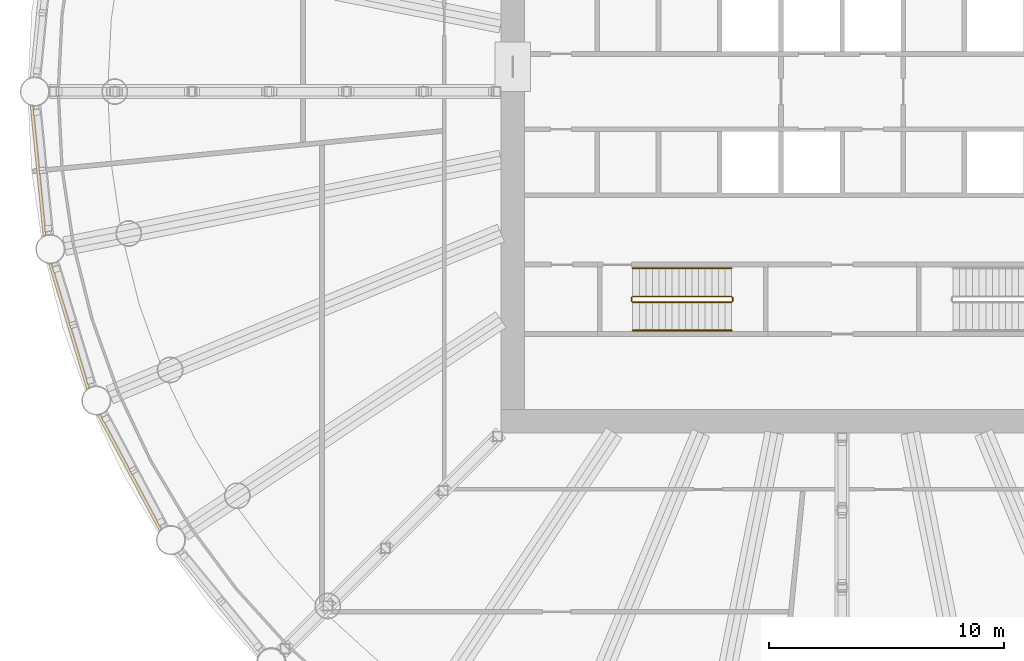
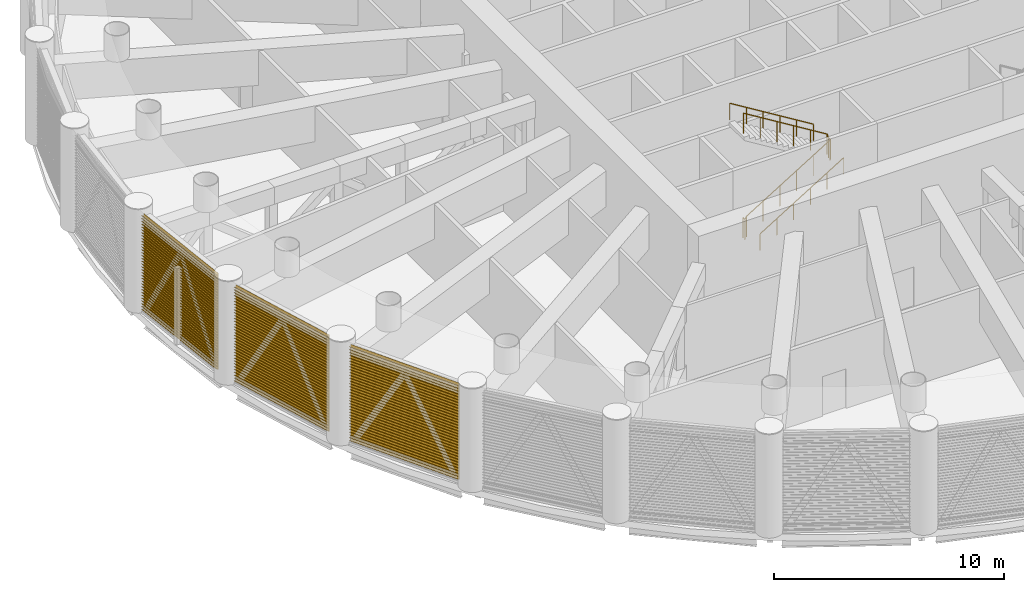
# One storey, part 23 of 29: 3 railings, 3 shading devices, 3 elements without a shape of their own.
"""IFC4 building model written with IfcOpenShell, lengths in metres."""

from ifc_helpers import new_model, si_unit, direction, frame, origin, origin_2d, place, context, subcontext, project, spatial, polyline, circle, outline, extrude, material, material_profile, profile_set, type_object, element, aggregate, save


model = new_model("IFC4")

# Units and contexts
model_context = context("Model", 3, precision=1e-05, world=origin(), true_north=direction((0.0, 1.0)))
body_context = subcontext(model_context, "Body", "Model", "MODEL_VIEW")
ifc_project = project(units=[si_unit("LENGTHUNIT", "METRE"), si_unit("AREAUNIT", "SQUARE_METRE"), si_unit("VOLUMEUNIT", "CUBIC_METRE"), si_unit("PLANEANGLEUNIT", "RADIAN"), si_unit("MASSUNIT", "GRAM", prefix="KILO")], contexts=[model_context])

# Site, building, storey
site_placement = place(None, origin())
site = spatial("IfcSite", under=ifc_project, at=site_placement, CompositionType="ELEMENT")
building_placement = place(site_placement, origin())
building = spatial("IfcBuilding", under=site, at=building_placement, Name="Corvane Civic Tower", CompositionType="ELEMENT")
storey_placement = place(building_placement, frame((0.0, 0.0, 138.5)))
storey = spatial("IfcBuildingStorey", under=building, at=storey_placement, Name="L32", CompositionType="ELEMENT", Elevation=138.5)

# Railings
ifc_material_1 = material(Name="Steel ASTM A572 Gr 50", Category="steel")
railing_type_1 = type_object("IfcRailingType", Name="ST-GUARD-1100", PredefinedType="GUARDRAIL", material=ifc_material_1)
railing_1_placement = place(storey_placement, frame((-8.949951171875, -8.75, 0.0)))
element("IfcRailing", 1, at=railing_1_placement, inside=storey, type_object=railing_type_1, Name="L32 ST3 stair guard 1", PredefinedType="GUARDRAIL", context=body_context, shape_type="SweptSolid", body=[
    extrude(circle(Radius=0.02392578125, at=origin_2d()), frame((0.0, 0.0, 1.076171875), z_axis=(0.0, -1.0, 0.0), x_axis=(1.0, 0.0, 0.0)), (0.0, 0.0, 1.0), 0.14990234375),
    extrude(circle(Radius=0.02392578125, at=origin_2d()), frame((0.0, -0.14990234375, 1.076171875), z_axis=(0.269255725606, -0.269255725606, 0.92466356501), x_axis=(0.707106781187, 0.707106781187, 0.0)), (0.0, 0.0, 1.0), 0.185791015625),
    extrude(circle(Radius=0.02392578125, at=origin_2d()), frame((0.050048828125, -0.199951171875, 1.248046875), z_axis=(0.852242915053, 0.0, 0.523146264196), x_axis=(0.0, 1.0, 0.0)), (0.0, 0.0, 1.0), 4.92822265625),
    extrude(circle(Radius=0.02392578125, at=origin_2d()), frame((4.25, -0.199951171875, 3.826171875), z_axis=(0.707106781187, 0.707106781187, 0.0), x_axis=(-0.707106781187, 0.707106781187, 0.0)), (0.0, 0.0, 1.0), 0.07080078125),
    extrude(circle(Radius=0.02392578125, at=origin_2d()), frame((4.300048828125, -0.14990234375, 3.826171875), z_axis=(0.0, 1.0, 0.0), x_axis=(-1.0, 0.0, 0.0)), (0.0, 0.0, 1.0), 0.14990234375),
    extrude(circle(Radius=0.02392578125, at=origin_2d()), frame((4.300048828125, 0.0, 3.826171875), z_axis=(-0.269255725606, 0.269255725606, 0.92466356501), x_axis=(-0.707106781187, -0.707106781187, 0.0)), (0.0, 0.0, 1.0), 0.185791015625),
    extrude(circle(Radius=0.02392578125, at=origin_2d()), frame((4.25, 0.050048828125, 3.998046875), z_axis=(-0.852242915053, 0.0, 0.523146264196), x_axis=(0.0, -1.0, 0.0)), (0.0, 0.0, 1.0), 4.92822265625),
    extrude(circle(Radius=0.02099609375, at=origin_2d()), origin(), (0.0, 0.0, 1.0), 1.052001953125),
    extrude(circle(Radius=0.02099609375, at=origin_2d()), frame((0.0, -0.14990234375, 0.0)), (0.0, 0.0, 1.0), 1.052001953125),
    extrude(circle(Radius=0.02099609375, at=origin_2d()), frame((0.050048828125, -0.199951171875, 0.171875)), (0.0, 0.0, 1.0), 1.052001953125),
    extrude(circle(Radius=0.02099609375, at=origin_2d()), frame((0.89013671875, -0.199951171875, 0.6875)), (0.0, 0.0, 1.0), 1.052001953125),
    extrude(circle(Radius=0.02099609375, at=origin_2d()), frame((1.72998046875, -0.199951171875, 1.203125)), (0.0, 0.0, 1.0), 1.052001953125),
    extrude(circle(Radius=0.02099609375, at=origin_2d()), frame((2.570068359375, -0.199951171875, 1.71875)), (0.0, 0.0, 1.0), 1.052001953125),
    extrude(circle(Radius=0.02099609375, at=origin_2d()), frame((3.409912109375, -0.199951171875, 2.234375)), (0.0, 0.0, 1.0), 1.052001953125),
    extrude(circle(Radius=0.02099609375, at=origin_2d()), frame((4.25, -0.199951171875, 2.75)), (0.0, 0.0, 1.0), 1.052001953125),
    extrude(circle(Radius=0.02099609375, at=origin_2d()), frame((4.300048828125, -0.14990234375, 2.75)), (0.0, 0.0, 1.0), 1.052001953125),
    extrude(circle(Radius=0.02099609375, at=origin_2d()), frame((4.300048828125, 0.0, 2.75)), (0.0, 0.0, 1.0), 1.052001953125),
    extrude(circle(Radius=0.02099609375, at=origin_2d()), frame((4.25, 0.050048828125, 2.921875)), (0.0, 0.0, 1.0), 1.052001953125),
    extrude(circle(Radius=0.02099609375, at=origin_2d()), frame((3.409912109375, 0.050048828125, 3.4375)), (0.0, 0.0, 1.0), 1.052001953125),
    extrude(circle(Radius=0.02099609375, at=origin_2d()), frame((2.570068359375, 0.050048828125, 3.953125)), (0.0, 0.0, 1.0), 1.052001953125),
    extrude(circle(Radius=0.02099609375, at=origin_2d()), frame((1.72998046875, 0.050048828125, 4.46875)), (0.0, 0.0, 1.0), 1.052001953125),
    extrude(circle(Radius=0.02099609375, at=origin_2d()), frame((0.89013671875, 0.050048828125, 4.984375)), (0.0, 0.0, 1.0), 1.052001953125),
    extrude(circle(Radius=0.02099609375, at=origin_2d()), frame((0.050048828125, 0.050048828125, 5.5)), (0.0, 0.0, 1.0), 1.052001953125),
])
ifc_material_2 = material(Name="Steel ASTM A572 Gr 50", Category="steel")
railing_type_2 = type_object("IfcRailingType", Name="ST-HANDRAIL-900", PredefinedType="HANDRAIL", material=ifc_material_2)
railing_2_placement = place(storey_placement, frame((-8.89990234375, -10.14990234375, 0.171875)))
element("IfcRailing", 2, at=railing_2_placement, inside=storey, type_object=railing_type_2, Name="L32 ST3 stair handrail 1", PredefinedType="HANDRAIL", context=body_context, shape_type="SweptSolid", body=[
    extrude(circle(Radius=0.02392578125, at=origin_2d()), frame((0.0, 0.0, 0.8759765625), z_axis=(0.852242915053, 0.0, 0.523146264196), x_axis=(0.0, 1.0, 0.0)), (0.0, 0.0, 1.0), 4.92822265625),
    extrude(circle(Radius=0.02099609375, at=origin_2d()), origin(), (0.0, 0.0, 1.0), 0.851806640625),
    extrude(circle(Radius=0.02099609375, at=origin_2d()), frame((0.840087890625, 0.0, 0.515625)), (0.0, 0.0, 1.0), 0.851806640625),
    extrude(circle(Radius=0.02099609375, at=origin_2d()), frame((1.679931640625, 0.0, 1.03125)), (0.0, 0.0, 1.0), 0.851806640625),
    extrude(circle(Radius=0.02099609375, at=origin_2d()), frame((2.52001953125, 0.0, 1.546875)), (0.0, 0.0, 1.0), 0.851806640625),
    extrude(circle(Radius=0.02099609375, at=origin_2d()), frame((3.35986328125, 0.0, 2.0625)), (0.0, 0.0, 1.0), 0.851806640625),
    extrude(circle(Radius=0.02099609375, at=origin_2d()), frame((4.199951171875, 0.0, 2.578125)), (0.0, 0.0, 1.0), 0.851806640625),
])
railing_3_placement = place(storey_placement, frame((-4.699951171875, -7.5, 2.921875)))
element("IfcRailing", 3, at=railing_3_placement, inside=storey, type_object=railing_type_2, Name="L32 ST3 stair handrail 2", PredefinedType="HANDRAIL", context=body_context, shape_type="SweptSolid", body=[
    extrude(circle(Radius=0.02392578125, at=origin_2d()), frame((0.0, 0.0, 0.8759765625), z_axis=(-0.852242915053, 0.0, 0.523146264196), x_axis=(0.0, -1.0, 0.0)), (0.0, 0.0, 1.0), 4.92822265625),
    extrude(circle(Radius=0.02099609375, at=origin_2d()), origin(), (0.0, 0.0, 1.0), 0.851806640625),
    extrude(circle(Radius=0.02099609375, at=origin_2d()), frame((-0.840087890625, 0.0, 0.515625)), (0.0, 0.0, 1.0), 0.851806640625),
    extrude(circle(Radius=0.02099609375, at=origin_2d()), frame((-1.679931640625, 0.0, 1.03125)), (0.0, 0.0, 1.0), 0.851806640625),
    extrude(circle(Radius=0.02099609375, at=origin_2d()), frame((-2.52001953125, 0.0, 1.546875)), (0.0, 0.0, 1.0), 0.851806640625),
    extrude(circle(Radius=0.02099609375, at=origin_2d()), frame((-3.35986328125, 0.0, 2.0625)), (0.0, 0.0, 1.0), 0.851806640625),
    extrude(circle(Radius=0.02099609375, at=origin_2d()), frame((-4.199951171875, 0.0, 2.578125)), (0.0, 0.0, 1.0), 0.851806640625),
])

# Curtain wall, shading device
ifc_material_3 = material(Name="Anodised aluminium bronze", Category="aluminium")
curtain_wall_type = type_object("IfcCurtainWallType", Name="TOWER CW-LV LOUVRE SCREEN WALL", PredefinedType="NOTDEFINED", material=ifc_material_3)
curtain_wall_1_placement = place(storey_placement, origin())
curtain_wall_1 = element("IfcCurtainWall", 4, at=curtain_wall_1_placement, inside=storey, type_object=curtain_wall_type, Name="Louvre screen wall CW-LV L32 bay 22", PredefinedType="NOTDEFINED")
ifc_material_4 = material(Name="Anodised aluminium bronze", Category="aluminium")
ifc_material_profile = material_profile(ifc_material_4, outline(polyline([(-0.06005859375, -2.56494140625), (-0.0400390625, -2.56494140625), (0.06005859375, -2.492919921875), (0.06005859375, -2.472900390625), (-0.0400390625, -2.544921875), (-0.0400390625, -2.4140625), (0.06005859375, -2.342041015625), (0.06005859375, -2.322021484375), (-0.0400390625, -2.39404296875), (-0.0400390625, -2.26318359375), (0.06005859375, -2.191162109375), (0.06005859375, -2.171142578125), (-0.0400390625, -2.2431640625), (-0.0400390625, -2.1123046875), (0.06005859375, -2.040283203125), (0.06005859375, -2.0205078125), (-0.0400390625, -2.09228515625), (-0.0400390625, -1.96142578125), (0.06005859375, -1.889404296875), (0.06005859375, -1.869384765625), (-0.0400390625, -1.94140625), (-0.0400390625, -1.810546875), (0.06005859375, -1.738525390625), (0.06005859375, -1.718505859375), (-0.0400390625, -1.79052734375), (-0.0400390625, -1.65966796875), (0.06005859375, -1.587646484375), (0.06005859375, -1.567626953125), (-0.0400390625, -1.6396484375), (-0.0400390625, -1.5087890625), (0.06005859375, -1.436767578125), (0.06005859375, -1.416748046875), (-0.0400390625, -1.48876953125), (-0.0400390625, -1.35791015625), (0.06005859375, -1.285888671875), (0.06005859375, -1.265869140625), (-0.0400390625, -1.337890625), (-0.0400390625, -1.20703125), (0.06005859375, -1.135009765625), (0.06005859375, -1.114990234375), (-0.0400390625, -1.18701171875), (-0.0400390625, -1.05615234375), (0.06005859375, -0.984130859375), (0.06005859375, -0.964111328125), (-0.0400390625, -1.0361328125), (-0.0400390625, -0.9052734375), (0.06005859375, -0.833251953125), (0.06005859375, -0.813232421875), (-0.0400390625, -0.88525390625), (-0.0400390625, -0.75439453125), (0.06005859375, -0.682373046875), (0.06005859375, -0.662353515625), (-0.0400390625, -0.734375), (-0.0400390625, -0.603515625), (0.06005859375, -0.531494140625), (0.06005859375, -0.511474609375), (-0.0400390625, -0.58349609375), (-0.0400390625, -0.45263671875), (0.06005859375, -0.380615234375), (0.06005859375, -0.360595703125), (-0.0400390625, -0.4326171875), (-0.0400390625, -0.3017578125), (0.06005859375, -0.229736328125), (0.06005859375, -0.209716796875), (-0.0400390625, -0.28173828125), (-0.0400390625, -0.15087890625), (0.06005859375, -0.078857421875), (0.06005859375, -0.058837890625), (-0.0400390625, -0.130859375), (-0.0400390625, 0.0), (0.06005859375, 0.072021484375), (0.06005859375, 0.092041015625), (-0.0400390625, 0.02001953125), (-0.0400390625, 0.15087890625), (0.06005859375, 0.222900390625), (0.06005859375, 0.242919921875), (-0.0400390625, 0.1708984375), (-0.0400390625, 0.3017578125), (0.06005859375, 0.373779296875), (0.06005859375, 0.393798828125), (-0.0400390625, 0.32177734375), (-0.0400390625, 0.45263671875), (0.06005859375, 0.524658203125), (0.06005859375, 0.544677734375), (-0.0400390625, 0.47265625), (-0.0400390625, 0.603515625), (0.06005859375, 0.675537109375), (0.06005859375, 0.695556640625), (-0.0400390625, 0.62353515625), (-0.0400390625, 0.75439453125), (0.06005859375, 0.826416015625), (0.06005859375, 0.846435546875), (-0.0400390625, 0.7744140625), (-0.0400390625, 0.9052734375), (0.06005859375, 0.977294921875), (0.06005859375, 0.997314453125), (-0.0400390625, 0.92529296875), (-0.0400390625, 1.05615234375), (0.06005859375, 1.128173828125), (0.06005859375, 1.148193359375), (-0.0400390625, 1.076171875), (-0.0400390625, 1.20703125), (0.06005859375, 1.279052734375), (0.06005859375, 1.299072265625), (-0.0400390625, 1.22705078125), (-0.0400390625, 1.35791015625), (0.06005859375, 1.429931640625), (0.06005859375, 1.449951171875), (-0.0400390625, 1.3779296875), (-0.0400390625, 1.5087890625), (0.06005859375, 1.580810546875), (0.06005859375, 1.600830078125), (-0.0400390625, 1.52880859375), (-0.0400390625, 1.65966796875), (0.06005859375, 1.731689453125), (0.06005859375, 1.751708984375), (-0.0400390625, 1.6796875), (-0.0400390625, 1.810546875), (0.06005859375, 1.882568359375), (0.06005859375, 1.902587890625), (-0.0400390625, 1.83056640625), (-0.0400390625, 1.96142578125), (0.06005859375, 2.033447265625), (0.06005859375, 2.053466796875), (-0.0400390625, 1.9814453125), (-0.0400390625, 2.1123046875), (0.06005859375, 2.184326171875), (0.06005859375, 2.204345703125), (-0.0400390625, 2.13232421875), (-0.0400390625, 2.26318359375), (0.06005859375, 2.335205078125), (0.06005859375, 2.355224609375), (-0.0400390625, 2.283203125), (-0.0400390625, 2.4140625), (0.06005859375, 2.486083984375), (0.06005859375, 2.506103515625), (-0.0400390625, 2.43408203125), (-0.0400390625, 2.56494140625), (-0.06005859375, 2.56494140625), (-0.06005859375, -2.56494140625)])), Name="TOWER LOUVRE BANK 5130 BRONZE")
ifc_profile_set = profile_set([ifc_material_profile], Name="Anodised aluminium bronze")
shading_device_type = type_object("IfcShadingDeviceType", Name="TOWER LOUVRE BANK 5130 BRONZE", PredefinedType="USERDEFINED", material=ifc_profile_set)
shading_device_1_placement = place(storey_placement, frame((-28.945556640625, -18.63916015625, 2.68505859375), z_axis=(-0.47139778253, 0.881920705407, 0.0), x_axis=(-0.881920705407, -0.47139778253, 0.0)))
shading_device_1 = element("IfcShadingDevice", 5, at=shading_device_1_placement, type_object=shading_device_type, Name="Louvre bank L32 22.1", ObjectType="LOUVRE", PredefinedType="USERDEFINED", context=body_context, shape_type="SweptSolid", body=[
    extrude(outline(polyline([(-0.06005859375, -2.56494140625), (-0.0400390625, -2.56494140625), (0.06005859375, -2.492919921875), (0.06005859375, -2.472900390625), (-0.0400390625, -2.544921875), (-0.0400390625, -2.4140625), (0.06005859375, -2.342041015625), (0.06005859375, -2.322021484375), (-0.0400390625, -2.39404296875), (-0.0400390625, -2.26318359375), (0.06005859375, -2.191162109375), (0.06005859375, -2.171142578125), (-0.0400390625, -2.2431640625), (-0.0400390625, -2.1123046875), (0.06005859375, -2.040283203125), (0.06005859375, -2.0205078125), (-0.0400390625, -2.09228515625), (-0.0400390625, -1.96142578125), (0.06005859375, -1.889404296875), (0.06005859375, -1.869384765625), (-0.0400390625, -1.94140625), (-0.0400390625, -1.810546875), (0.06005859375, -1.738525390625), (0.06005859375, -1.718505859375), (-0.0400390625, -1.79052734375), (-0.0400390625, -1.65966796875), (0.06005859375, -1.587646484375), (0.06005859375, -1.567626953125), (-0.0400390625, -1.6396484375), (-0.0400390625, -1.5087890625), (0.06005859375, -1.436767578125), (0.06005859375, -1.416748046875), (-0.0400390625, -1.48876953125), (-0.0400390625, -1.35791015625), (0.06005859375, -1.285888671875), (0.06005859375, -1.265869140625), (-0.0400390625, -1.337890625), (-0.0400390625, -1.20703125), (0.06005859375, -1.135009765625), (0.06005859375, -1.114990234375), (-0.0400390625, -1.18701171875), (-0.0400390625, -1.05615234375), (0.06005859375, -0.984130859375), (0.06005859375, -0.964111328125), (-0.0400390625, -1.0361328125), (-0.0400390625, -0.9052734375), (0.06005859375, -0.833251953125), (0.06005859375, -0.813232421875), (-0.0400390625, -0.88525390625), (-0.0400390625, -0.75439453125), (0.06005859375, -0.682373046875), (0.06005859375, -0.662353515625), (-0.0400390625, -0.734375), (-0.0400390625, -0.603515625), (0.06005859375, -0.531494140625), (0.06005859375, -0.511474609375), (-0.0400390625, -0.58349609375), (-0.0400390625, -0.45263671875), (0.06005859375, -0.380615234375), (0.06005859375, -0.360595703125), (-0.0400390625, -0.4326171875), (-0.0400390625, -0.3017578125), (0.06005859375, -0.229736328125), (0.06005859375, -0.209716796875), (-0.0400390625, -0.28173828125), (-0.0400390625, -0.15087890625), (0.06005859375, -0.078857421875), (0.06005859375, -0.058837890625), (-0.0400390625, -0.130859375), (-0.0400390625, 0.0), (0.06005859375, 0.072021484375), (0.06005859375, 0.092041015625), (-0.0400390625, 0.02001953125), (-0.0400390625, 0.15087890625), (0.06005859375, 0.222900390625), (0.06005859375, 0.242919921875), (-0.0400390625, 0.1708984375), (-0.0400390625, 0.3017578125), (0.06005859375, 0.373779296875), (0.06005859375, 0.393798828125), (-0.0400390625, 0.32177734375), (-0.0400390625, 0.45263671875), (0.06005859375, 0.524658203125), (0.06005859375, 0.544677734375), (-0.0400390625, 0.47265625), (-0.0400390625, 0.603515625), (0.06005859375, 0.675537109375), (0.06005859375, 0.695556640625), (-0.0400390625, 0.62353515625), (-0.0400390625, 0.75439453125), (0.06005859375, 0.826416015625), (0.06005859375, 0.846435546875), (-0.0400390625, 0.7744140625), (-0.0400390625, 0.9052734375), (0.06005859375, 0.977294921875), (0.06005859375, 0.997314453125), (-0.0400390625, 0.92529296875), (-0.0400390625, 1.05615234375), (0.06005859375, 1.128173828125), (0.06005859375, 1.148193359375), (-0.0400390625, 1.076171875), (-0.0400390625, 1.20703125), (0.06005859375, 1.279052734375), (0.06005859375, 1.299072265625), (-0.0400390625, 1.22705078125), (-0.0400390625, 1.35791015625), (0.06005859375, 1.429931640625), (0.06005859375, 1.449951171875), (-0.0400390625, 1.3779296875), (-0.0400390625, 1.5087890625), (0.06005859375, 1.580810546875), (0.06005859375, 1.600830078125), (-0.0400390625, 1.52880859375), (-0.0400390625, 1.65966796875), (0.06005859375, 1.731689453125), (0.06005859375, 1.751708984375), (-0.0400390625, 1.6796875), (-0.0400390625, 1.810546875), (0.06005859375, 1.882568359375), (0.06005859375, 1.902587890625), (-0.0400390625, 1.83056640625), (-0.0400390625, 1.96142578125), (0.06005859375, 2.033447265625), (0.06005859375, 2.053466796875), (-0.0400390625, 1.9814453125), (-0.0400390625, 2.1123046875), (0.06005859375, 2.184326171875), (0.06005859375, 2.204345703125), (-0.0400390625, 2.13232421875), (-0.0400390625, 2.26318359375), (0.06005859375, 2.335205078125), (0.06005859375, 2.355224609375), (-0.0400390625, 2.283203125), (-0.0400390625, 2.4140625), (0.06005859375, 2.486083984375), (0.06005859375, 2.506103515625), (-0.0400390625, 2.43408203125), (-0.0400390625, 2.56494140625), (-0.06005859375, 2.56494140625), (-0.06005859375, -2.56494140625)])), origin(), (0.0, 0.0, 1.0), 5.586669921875),
])
aggregate(curtain_wall_1, [shading_device_1])

curtain_wall_2_placement = place(storey_placement, origin())
curtain_wall_2 = element("IfcCurtainWall", 6, at=curtain_wall_2_placement, inside=storey, type_object=curtain_wall_type, Name="Louvre screen wall CW-LV L32 bay 23", PredefinedType="NOTDEFINED")
shading_device_2_placement = place(storey_placement, frame((-32.025634765625, -12.6337890625, 2.68505859375), z_axis=(-0.290269376509, 0.956944977029, 0.0), x_axis=(-0.956944977029, -0.290269376509, 0.0)))
shading_device_2 = element("IfcShadingDevice", 7, at=shading_device_2_placement, type_object=shading_device_type, Name="Louvre bank L32 23.1", ObjectType="LOUVRE", PredefinedType="USERDEFINED", context=body_context, shape_type="SweptSolid", body=[
    extrude(outline(polyline([(-0.06005859375, -2.56494140625), (-0.0400390625, -2.56494140625), (0.06005859375, -2.492919921875), (0.06005859375, -2.472900390625), (-0.0400390625, -2.544921875), (-0.0400390625, -2.4140625), (0.06005859375, -2.342041015625), (0.06005859375, -2.322021484375), (-0.0400390625, -2.39404296875), (-0.0400390625, -2.26318359375), (0.06005859375, -2.191162109375), (0.06005859375, -2.171142578125), (-0.0400390625, -2.2431640625), (-0.0400390625, -2.1123046875), (0.06005859375, -2.040283203125), (0.06005859375, -2.0205078125), (-0.0400390625, -2.09228515625), (-0.0400390625, -1.96142578125), (0.06005859375, -1.889404296875), (0.06005859375, -1.869384765625), (-0.0400390625, -1.94140625), (-0.0400390625, -1.810546875), (0.06005859375, -1.738525390625), (0.06005859375, -1.718505859375), (-0.0400390625, -1.79052734375), (-0.0400390625, -1.65966796875), (0.06005859375, -1.587646484375), (0.06005859375, -1.567626953125), (-0.0400390625, -1.6396484375), (-0.0400390625, -1.5087890625), (0.06005859375, -1.436767578125), (0.06005859375, -1.416748046875), (-0.0400390625, -1.48876953125), (-0.0400390625, -1.35791015625), (0.06005859375, -1.285888671875), (0.06005859375, -1.265869140625), (-0.0400390625, -1.337890625), (-0.0400390625, -1.20703125), (0.06005859375, -1.135009765625), (0.06005859375, -1.114990234375), (-0.0400390625, -1.18701171875), (-0.0400390625, -1.05615234375), (0.06005859375, -0.984130859375), (0.06005859375, -0.964111328125), (-0.0400390625, -1.0361328125), (-0.0400390625, -0.9052734375), (0.06005859375, -0.833251953125), (0.06005859375, -0.813232421875), (-0.0400390625, -0.88525390625), (-0.0400390625, -0.75439453125), (0.06005859375, -0.682373046875), (0.06005859375, -0.662353515625), (-0.0400390625, -0.734375), (-0.0400390625, -0.603515625), (0.06005859375, -0.531494140625), (0.06005859375, -0.511474609375), (-0.0400390625, -0.58349609375), (-0.0400390625, -0.45263671875), (0.06005859375, -0.380615234375), (0.06005859375, -0.360595703125), (-0.0400390625, -0.4326171875), (-0.0400390625, -0.3017578125), (0.06005859375, -0.229736328125), (0.06005859375, -0.209716796875), (-0.0400390625, -0.28173828125), (-0.0400390625, -0.15087890625), (0.06005859375, -0.078857421875), (0.06005859375, -0.058837890625), (-0.0400390625, -0.130859375), (-0.0400390625, 0.0), (0.06005859375, 0.072021484375), (0.06005859375, 0.092041015625), (-0.0400390625, 0.02001953125), (-0.0400390625, 0.15087890625), (0.06005859375, 0.222900390625), (0.06005859375, 0.242919921875), (-0.0400390625, 0.1708984375), (-0.0400390625, 0.3017578125), (0.06005859375, 0.373779296875), (0.06005859375, 0.393798828125), (-0.0400390625, 0.32177734375), (-0.0400390625, 0.45263671875), (0.06005859375, 0.524658203125), (0.06005859375, 0.544677734375), (-0.0400390625, 0.47265625), (-0.0400390625, 0.603515625), (0.06005859375, 0.675537109375), (0.06005859375, 0.695556640625), (-0.0400390625, 0.62353515625), (-0.0400390625, 0.75439453125), (0.06005859375, 0.826416015625), (0.06005859375, 0.846435546875), (-0.0400390625, 0.7744140625), (-0.0400390625, 0.9052734375), (0.06005859375, 0.977294921875), (0.06005859375, 0.997314453125), (-0.0400390625, 0.92529296875), (-0.0400390625, 1.05615234375), (0.06005859375, 1.128173828125), (0.06005859375, 1.148193359375), (-0.0400390625, 1.076171875), (-0.0400390625, 1.20703125), (0.06005859375, 1.279052734375), (0.06005859375, 1.299072265625), (-0.0400390625, 1.22705078125), (-0.0400390625, 1.35791015625), (0.06005859375, 1.429931640625), (0.06005859375, 1.449951171875), (-0.0400390625, 1.3779296875), (-0.0400390625, 1.5087890625), (0.06005859375, 1.580810546875), (0.06005859375, 1.600830078125), (-0.0400390625, 1.52880859375), (-0.0400390625, 1.65966796875), (0.06005859375, 1.731689453125), (0.06005859375, 1.751708984375), (-0.0400390625, 1.6796875), (-0.0400390625, 1.810546875), (0.06005859375, 1.882568359375), (0.06005859375, 1.902587890625), (-0.0400390625, 1.83056640625), (-0.0400390625, 1.96142578125), (0.06005859375, 2.033447265625), (0.06005859375, 2.053466796875), (-0.0400390625, 1.9814453125), (-0.0400390625, 2.1123046875), (0.06005859375, 2.184326171875), (0.06005859375, 2.204345703125), (-0.0400390625, 2.13232421875), (-0.0400390625, 2.26318359375), (0.06005859375, 2.335205078125), (0.06005859375, 2.355224609375), (-0.0400390625, 2.283203125), (-0.0400390625, 2.4140625), (0.06005859375, 2.486083984375), (0.06005859375, 2.506103515625), (-0.0400390625, 2.43408203125), (-0.0400390625, 2.56494140625), (-0.06005859375, 2.56494140625), (-0.06005859375, -2.56494140625)])), origin(), (0.0, 0.0, 1.0), 5.58642578125),
])
aggregate(curtain_wall_2, [shading_device_2])

curtain_wall_3_placement = place(storey_placement, origin())
curtain_wall_3 = element("IfcCurtainWall", 8, at=curtain_wall_3_placement, inside=storey, type_object=curtain_wall_type, Name="Louvre screen wall CW-LV L32 bay 24", PredefinedType="NOTDEFINED")
shading_device_3_placement = place(storey_placement, frame((-33.874755859375, -6.14306640625, 2.68505859375), z_axis=(-0.098067077419, 0.995179807033, 0.0), x_axis=(-0.995179807033, -0.098067077419, 0.0)))
shading_device_3 = element("IfcShadingDevice", 9, at=shading_device_3_placement, type_object=shading_device_type, Name="Louvre bank L32 24.1", ObjectType="LOUVRE", PredefinedType="USERDEFINED", context=body_context, shape_type="SweptSolid", body=[
    extrude(outline(polyline([(-0.06005859375, -2.56494140625), (-0.0400390625, -2.56494140625), (0.06005859375, -2.492919921875), (0.06005859375, -2.472900390625), (-0.0400390625, -2.544921875), (-0.0400390625, -2.4140625), (0.06005859375, -2.342041015625), (0.06005859375, -2.322021484375), (-0.0400390625, -2.39404296875), (-0.0400390625, -2.26318359375), (0.06005859375, -2.191162109375), (0.06005859375, -2.171142578125), (-0.0400390625, -2.2431640625), (-0.0400390625, -2.1123046875), (0.06005859375, -2.040283203125), (0.06005859375, -2.0205078125), (-0.0400390625, -2.09228515625), (-0.0400390625, -1.96142578125), (0.06005859375, -1.889404296875), (0.06005859375, -1.869384765625), (-0.0400390625, -1.94140625), (-0.0400390625, -1.810546875), (0.06005859375, -1.738525390625), (0.06005859375, -1.718505859375), (-0.0400390625, -1.79052734375), (-0.0400390625, -1.65966796875), (0.06005859375, -1.587646484375), (0.06005859375, -1.567626953125), (-0.0400390625, -1.6396484375), (-0.0400390625, -1.5087890625), (0.06005859375, -1.436767578125), (0.06005859375, -1.416748046875), (-0.0400390625, -1.48876953125), (-0.0400390625, -1.35791015625), (0.06005859375, -1.285888671875), (0.06005859375, -1.265869140625), (-0.0400390625, -1.337890625), (-0.0400390625, -1.20703125), (0.06005859375, -1.135009765625), (0.06005859375, -1.114990234375), (-0.0400390625, -1.18701171875), (-0.0400390625, -1.05615234375), (0.06005859375, -0.984130859375), (0.06005859375, -0.964111328125), (-0.0400390625, -1.0361328125), (-0.0400390625, -0.9052734375), (0.06005859375, -0.833251953125), (0.06005859375, -0.813232421875), (-0.0400390625, -0.88525390625), (-0.0400390625, -0.75439453125), (0.06005859375, -0.682373046875), (0.06005859375, -0.662353515625), (-0.0400390625, -0.734375), (-0.0400390625, -0.603515625), (0.06005859375, -0.531494140625), (0.06005859375, -0.511474609375), (-0.0400390625, -0.58349609375), (-0.0400390625, -0.45263671875), (0.06005859375, -0.380615234375), (0.06005859375, -0.360595703125), (-0.0400390625, -0.4326171875), (-0.0400390625, -0.3017578125), (0.06005859375, -0.229736328125), (0.06005859375, -0.209716796875), (-0.0400390625, -0.28173828125), (-0.0400390625, -0.15087890625), (0.06005859375, -0.078857421875), (0.06005859375, -0.058837890625), (-0.0400390625, -0.130859375), (-0.0400390625, 0.0), (0.06005859375, 0.072021484375), (0.06005859375, 0.092041015625), (-0.0400390625, 0.02001953125), (-0.0400390625, 0.15087890625), (0.06005859375, 0.222900390625), (0.06005859375, 0.242919921875), (-0.0400390625, 0.1708984375), (-0.0400390625, 0.3017578125), (0.06005859375, 0.373779296875), (0.06005859375, 0.393798828125), (-0.0400390625, 0.32177734375), (-0.0400390625, 0.45263671875), (0.06005859375, 0.524658203125), (0.06005859375, 0.544677734375), (-0.0400390625, 0.47265625), (-0.0400390625, 0.603515625), (0.06005859375, 0.675537109375), (0.06005859375, 0.695556640625), (-0.0400390625, 0.62353515625), (-0.0400390625, 0.75439453125), (0.06005859375, 0.826416015625), (0.06005859375, 0.846435546875), (-0.0400390625, 0.7744140625), (-0.0400390625, 0.9052734375), (0.06005859375, 0.977294921875), (0.06005859375, 0.997314453125), (-0.0400390625, 0.92529296875), (-0.0400390625, 1.05615234375), (0.06005859375, 1.128173828125), (0.06005859375, 1.148193359375), (-0.0400390625, 1.076171875), (-0.0400390625, 1.20703125), (0.06005859375, 1.279052734375), (0.06005859375, 1.299072265625), (-0.0400390625, 1.22705078125), (-0.0400390625, 1.35791015625), (0.06005859375, 1.429931640625), (0.06005859375, 1.449951171875), (-0.0400390625, 1.3779296875), (-0.0400390625, 1.5087890625), (0.06005859375, 1.580810546875), (0.06005859375, 1.600830078125), (-0.0400390625, 1.52880859375), (-0.0400390625, 1.65966796875), (0.06005859375, 1.731689453125), (0.06005859375, 1.751708984375), (-0.0400390625, 1.6796875), (-0.0400390625, 1.810546875), (0.06005859375, 1.882568359375), (0.06005859375, 1.902587890625), (-0.0400390625, 1.83056640625), (-0.0400390625, 1.96142578125), (0.06005859375, 2.033447265625), (0.06005859375, 2.053466796875), (-0.0400390625, 1.9814453125), (-0.0400390625, 2.1123046875), (0.06005859375, 2.184326171875), (0.06005859375, 2.204345703125), (-0.0400390625, 2.13232421875), (-0.0400390625, 2.26318359375), (0.06005859375, 2.335205078125), (0.06005859375, 2.355224609375), (-0.0400390625, 2.283203125), (-0.0400390625, 2.4140625), (0.06005859375, 2.486083984375), (0.06005859375, 2.506103515625), (-0.0400390625, 2.43408203125), (-0.0400390625, 2.56494140625), (-0.06005859375, 2.56494140625), (-0.06005859375, -2.56494140625)])), origin(), (0.0, 0.0, 1.0), 5.58642578125),
])
aggregate(curtain_wall_3, [shading_device_3])

save(model, "model.ifc")
